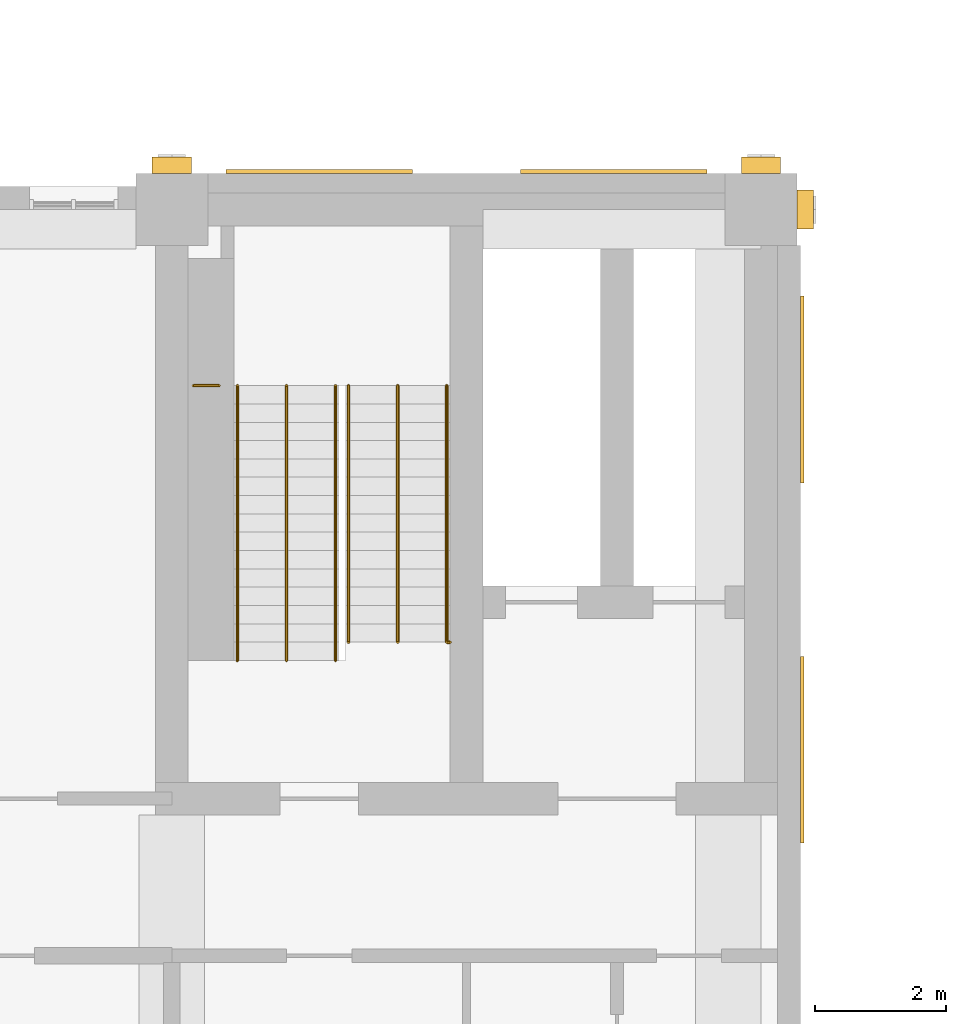
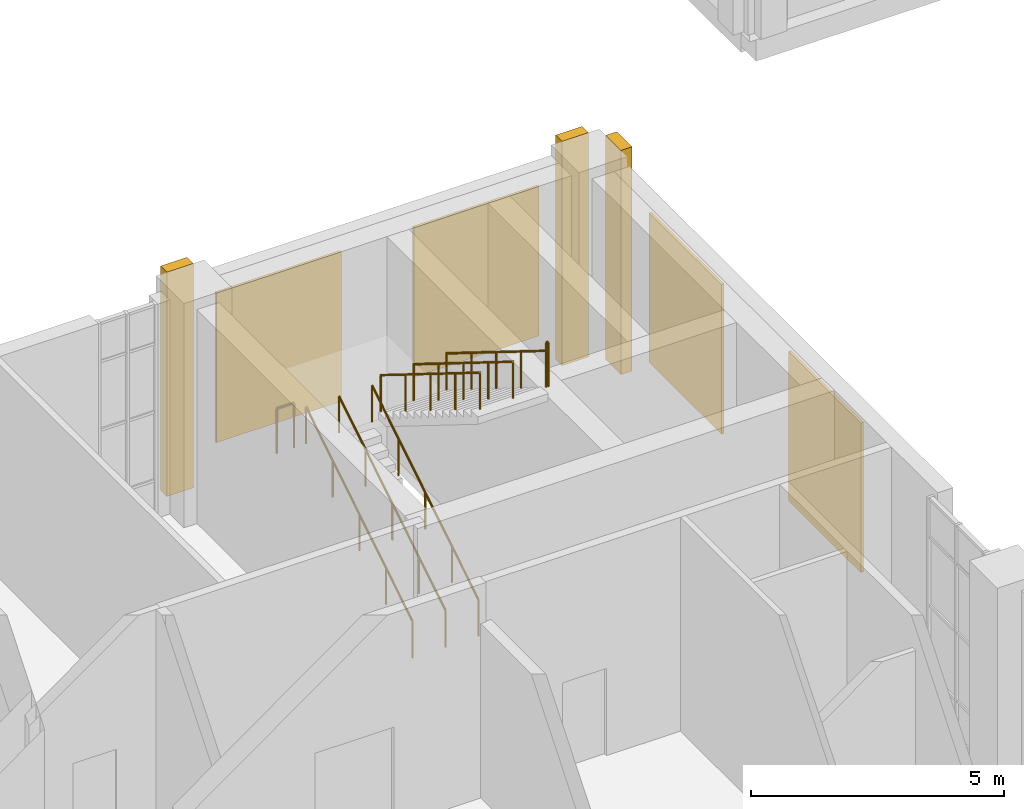
# One storey, part 33 of 39: 8 railings, 7 coverings.
"""IFC4 building model written with IfcOpenShell, lengths in metres."""

from ifc_helpers import new_model, si_unit, direction, frame, origin, origin_2d, place, context, subcontext, project, spatial, rectangle, circle, extrude, material, layer, layer_set, type_object, element, save


model = new_model("IFC4")

# Units and contexts
model_context = context("Model", 3, precision=1e-05, world=origin(), true_north=direction((0.0, 1.0)))
body_context = subcontext(model_context, "Body", "Model", "MODEL_VIEW")
ifc_project = project(units=[si_unit("LENGTHUNIT", "METRE"), si_unit("AREAUNIT", "SQUARE_METRE"), si_unit("VOLUMEUNIT", "CUBIC_METRE"), si_unit("PLANEANGLEUNIT", "RADIAN"), si_unit("MASSUNIT", "GRAM", prefix="KILO")], contexts=[model_context])

# Site, building, storey
site_placement = place(None, origin())
site = spatial("IfcSite", under=ifc_project, at=site_placement, CompositionType="ELEMENT")
building_placement = place(site_placement, origin())
building = spatial("IfcBuilding", under=site, at=building_placement, Name="Aurelan Courthouse", CompositionType="ELEMENT")
storey_placement = place(building_placement, frame((0.0, 0.0, 28.199951171875)))
storey = spatial("IfcBuildingStorey", under=building, at=storey_placement, Name="L05", CompositionType="ELEMENT", Elevation=28.199951171875)

# Coverings
ifc_material_1 = material(Name="Bronze sheet cladding")
ifc_layer = layer(ifc_material_1, 0.06005859375)
ifc_layer_set = layer_set([ifc_layer], Name="Bronze sheet cladding")
covering_type_1 = type_object("IfcCoveringType", Name="Courts' Floors blind bay 2850 x 3600", PredefinedType="CLADDING", material=ifc_layer_set)
for number, where, z_axis, x_axis, name in (
    (1, (20.25, 29.080078125, 0.89990234375), (0.0, 0.0, 1.0), (1.0, 0.0, 0.0), "Blind bay BB-V5-L05-005"),
    (2, (24.75, 29.080078125, 0.89990234375), (0.0, 0.0, 1.0), (1.0, 0.0, 0.0), "Blind bay BB-V5-L05-006"),
):
    element("IfcCovering", number, at=place(storey_placement, frame(where, z_axis=z_axis, x_axis=x_axis)), inside=storey, type_object=covering_type_1, Name=name, PredefinedType="CLADDING", context=body_context, shape_type="SweptSolid", body=[
        extrude(rectangle(XDim=2.85009765625, YDim=0.06005859375, at=origin_2d()), origin(), (0.0, 0.0, 1.0), 3.60009765625),
    ])
for number, where, z_axis, x_axis, name in (
    (3, (27.6298828125, 20.25, 0.89990234375), (0.0, 0.0, 1.0), (1.0, 0.0, 0.0), "Blind bay BB-V5-L05-007"),
    (4, (27.6298828125, 25.75, 0.89990234375), (0.0, 0.0, 1.0), (1.0, 0.0, 0.0), "Blind bay BB-V5-L05-008"),
):
    element("IfcCovering", number, at=place(storey_placement, frame(where, z_axis=z_axis, x_axis=x_axis)), inside=storey, type_object=covering_type_1, Name=name, PredefinedType="CLADDING", context=body_context, shape_type="SweptSolid", body=[
        extrude(rectangle(XDim=0.06005859375, YDim=2.85009765625, at=origin_2d()), origin(), (0.0, 0.0, 1.0), 3.60009765625),
    ])
ifc_material_2 = material(Name="Limestone cladding", Category="masonry")
covering_type_2 = type_object("IfcCoveringType", Name="Courts' Floors pilaster fin 600 x 250", PredefinedType="CLADDING", material=ifc_material_2)
for number, where, z_axis, x_axis, name in (
    (5, (18.0, 29.175048828125, 0.0), (0.0, 0.0, 1.0), (1.0, 0.0, 0.0), "Pilaster fin FN-V5-049"),
    (6, (27.0, 29.175048828125, 0.0), (0.0, 0.0, 1.0), (1.0, 0.0, 0.0), "Pilaster fin FN-V5-050"),
):
    element("IfcCovering", number, at=place(storey_placement, frame(where, z_axis=z_axis, x_axis=x_axis)), inside=storey, type_object=covering_type_2, Name=name, PredefinedType="CLADDING", context=body_context, shape_type="SweptSolid", body=[
        extrude(rectangle(XDim=0.60009765625, YDim=0.25, at=origin_2d()), origin(), (0.0, 0.0, 1.0), 5.39990234375),
    ])
covering_placement = place(storey_placement, frame((27.675048828125, 28.5, 0.0), z_axis=(0.0, 0.0, 1.0), x_axis=(1.0, 0.0, 0.0)))
element("IfcCovering", 7, at=covering_placement, inside=storey, type_object=covering_type_2, Name="Pilaster fin FN-V5-053", PredefinedType="CLADDING", context=body_context, shape_type="SweptSolid", body=[
    extrude(rectangle(XDim=0.25, YDim=0.60009765625, at=origin_2d()), origin(), (0.0, 0.0, 1.0), 5.39990234375),
])

# Railings
ifc_material_3 = material(Name="Steel S355", Category="steel")
railing_type_1 = type_object("IfcRailingType", Name="Stair guard 1100", PredefinedType="GUARDRAIL", material=ifc_material_3)
railing_1_placement = place(storey_placement, frame((22.199951171875, 21.889892578125, 5.400146484375)))
element("IfcRailing", 8, at=railing_1_placement, inside=storey, type_object=railing_type_1, Name="Guard ST-5A-L05-H5-C", PredefinedType="GUARDRAIL", context=body_context, shape_type="SweptSolid", body=[
    extrude(circle(Radius=0.02392578125, at=origin_2d()), frame((0.0, 0.0, 1.076171875), z_axis=(1.0, 0.0, 0.0), x_axis=(0.0, 1.0, 0.0)), (0.0, 0.0, 1.0), 0.050048828125),
    extrude(circle(Radius=0.02099609375, at=origin_2d()), origin(), (0.0, 0.0, 1.0), 1.052001953125),
    extrude(circle(Radius=0.02099609375, at=origin_2d()), frame((0.050048828125, 0.0, 0.0)), (0.0, 0.0, 1.0), 1.052001953125),
])
railing_2_placement = place(storey_placement, frame((18.719970703125, 25.81005859375, 2.787109375)))
element("IfcRailing", 9, at=railing_2_placement, inside=storey, type_object=railing_type_1, Name="Guard ST-5A-L05-GL1", PredefinedType="GUARDRAIL", context=body_context, shape_type="SweptSolid", body=[
    extrude(circle(Radius=0.02392578125, at=origin_2d()), frame((0.0, 0.0, 1.076171875), z_axis=(-1.0, 0.0, 0.0), x_axis=(0.0, -1.0, 0.0)), (0.0, 0.0, 1.0), 0.389892578125),
    extrude(circle(Radius=0.02099609375, at=origin_2d()), origin(), (0.0, 0.0, 1.0), 1.052001953125),
    extrude(circle(Radius=0.02099609375, at=origin_2d()), frame((-0.389892578125, 0.0, 0.0)), (0.0, 0.0, 1.0), 1.052001953125),
])
railing_type_2 = type_object("IfcRailingType", Name="Stair handrail 900", PredefinedType="HANDRAIL", material=ifc_material_3)
for number, where, name in (
    (10, (19.0, 21.610107421875, 0.17431640625), "Handrail ST-5A-L05-H1"),
    (11, (20.5, 21.610107421875, 0.17431640625), "Handrail ST-5A-L05-H2"),
    (12, (19.75, 21.610107421875, 0.17431640625), "Handrail ST-5A-L05-H3"),
):
    element("IfcRailing", number, at=place(storey_placement, frame(where)), inside=storey, type_object=railing_type_2, Name=name, PredefinedType="HANDRAIL", context=body_context, shape_type="SweptSolid", body=[
        extrude(circle(Radius=0.02392578125, at=origin_2d()), frame((0.0, 0.0, 0.8759765625), z_axis=(0.0, 0.849102848233, 0.528227558088), x_axis=(-1.0, 0.0, 0.0)), (0.0, 0.0, 1.0), 4.9462890625),
        extrude(circle(Radius=0.02099609375, at=origin_2d()), origin(), (0.0, 0.0, 1.0), 0.851806640625),
        extrude(circle(Radius=0.02099609375, at=origin_2d()), frame((0.0, 1.050048828125, 0.6533203125)), (0.0, 0.0, 1.0), 0.851806640625),
        extrude(circle(Radius=0.02099609375, at=origin_2d()), frame((0.0, 2.10009765625, 1.306396484375)), (0.0, 0.0, 1.0), 0.851806640625),
        extrude(circle(Radius=0.02099609375, at=origin_2d()), frame((0.0, 3.14990234375, 1.95947265625)), (0.0, 0.0, 1.0), 0.851806640625),
        extrude(circle(Radius=0.02099609375, at=origin_2d()), frame((0.0, 4.199951171875, 2.61279296875)), (0.0, 0.0, 1.0), 0.851806640625),
    ])
for number, where, name in (
    (13, (20.699951171875, 25.81005859375, 2.96142578125), "Handrail ST-5A-L05-H4"),
    (14, (22.199951171875, 25.81005859375, 2.96142578125), "Handrail ST-5A-L05-H5"),
    (15, (21.449951171875, 25.81005859375, 2.96142578125), "Handrail ST-5A-L05-H6"),
):
    element("IfcRailing", number, at=place(storey_placement, frame(where)), inside=storey, type_object=railing_type_2, Name=name, PredefinedType="HANDRAIL", context=body_context, shape_type="SweptSolid", body=[
        extrude(circle(Radius=0.02392578125, at=origin_2d()), frame((0.0, 0.0, 0.8759765625), z_axis=(0.0, -0.849104567483, 0.528224794457), x_axis=(1.0, 0.0, 0.0)), (0.0, 0.0, 1.0), 4.616943359375),
        extrude(circle(Radius=0.02099609375, at=origin_2d()), origin(), (0.0, 0.0, 1.0), 0.851806640625),
        extrude(circle(Radius=0.02099609375, at=origin_2d()), frame((0.0, -0.97998046875, 0.609619140625)), (0.0, 0.0, 1.0), 0.851806640625),
        extrude(circle(Radius=0.02099609375, at=origin_2d()), frame((0.0, -1.9599609375, 1.21923828125)), (0.0, 0.0, 1.0), 0.851806640625),
        extrude(circle(Radius=0.02099609375, at=origin_2d()), frame((0.0, -2.940185546875, 1.8291015625)), (0.0, 0.0, 1.0), 0.851806640625),
        extrude(circle(Radius=0.02099609375, at=origin_2d()), frame((0.0, -3.920166015625, 2.438720703125)), (0.0, 0.0, 1.0), 0.851806640625),
    ])

save(model, "model.ifc")
